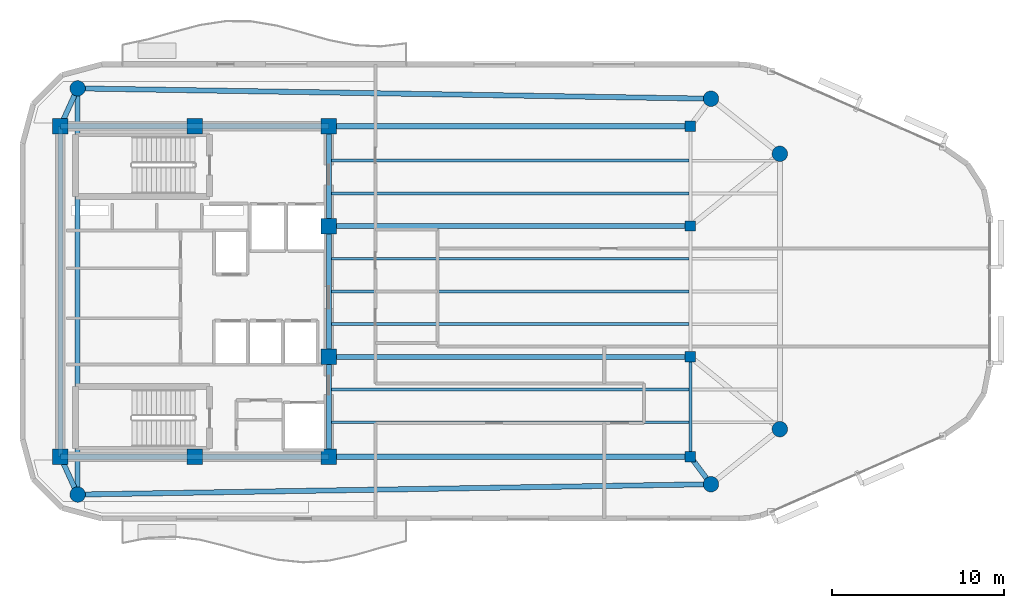
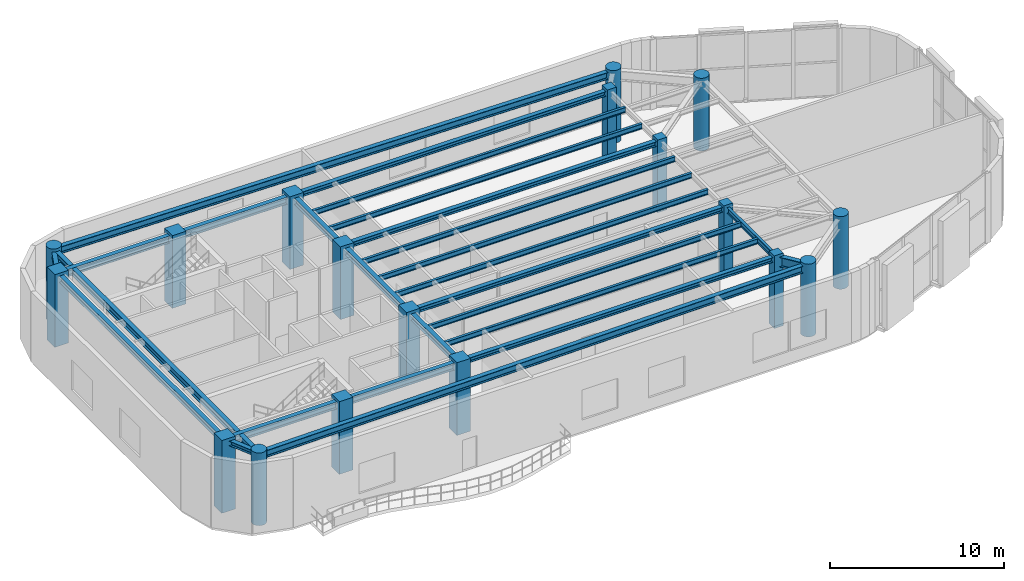
# One storey, part 1 of 12: 24 beams, 18 columns.
"""IFC4 building model written with IfcOpenShell, lengths in metres."""

from ifc_helpers import new_model, si_unit, direction, frame, origin, origin_2d, place, context, subcontext, project, spatial, rectangle, circle, i_section, extrude, material, material_profile, profile_set, type_object, element, save


model = new_model("IFC4")

# Units and contexts
model_context = context("Model", 3, precision=1e-05, world=origin(), true_north=direction((0.0, 1.0)))
body_context = subcontext(model_context, "Body", "Model", "MODEL_VIEW")
ifc_project = project(units=[si_unit("LENGTHUNIT", "METRE"), si_unit("AREAUNIT", "SQUARE_METRE"), si_unit("VOLUMEUNIT", "CUBIC_METRE"), si_unit("PLANEANGLEUNIT", "RADIAN"), si_unit("MASSUNIT", "GRAM", prefix="KILO")], contexts=[model_context])

# Site, building, storey
site_placement = place(None, origin())
site = spatial("IfcSite", under=ifc_project, at=site_placement, CompositionType="ELEMENT")
building_placement = place(site_placement, origin())
building = spatial("IfcBuilding", under=site, at=building_placement, Name="An Khanh Terracotta Commons", CompositionType="ELEMENT")
storey_placement = place(building_placement, frame((0.0, 0.0, 253.699951171875)))
storey = spatial("IfcBuildingStorey", under=building, at=storey_placement, Name="L66", CompositionType="ELEMENT", Elevation=253.699951171875)

# Columns
ifc_material_1 = material(Name="Concrete C50/60", Category="concrete")
ifc_material_profile_1 = material_profile(ifc_material_1, circle(Radius=0.449951171875, at=origin_2d()), Name="CFST900")
ifc_profile_set_1 = profile_set([ifc_material_profile_1], Name="Concrete C50/60")
column_type_1 = type_object("IfcColumnType", Name="COL-CFST900", PredefinedType="COLUMN", material=ifc_profile_set_1)
for number, where, z_axis, x_axis, name in (
    (1, (22.60009765625, 12.199951171875, 0.0), (0.0, 0.0, 1.0), (1.0, 0.0, 0.0), "L66 Perimeter CFST Mega-Column MC-01"),
    (2, (59.39990234375, 12.800048828125, 0.0), (0.0, 0.0, 1.0), (1.0, 0.0, 0.0), "L66 Perimeter CFST Mega-Column MC-02"),
    (3, (63.39990234375, 16.0, 0.0), (0.0, 0.0, 1.0), (1.0, 0.0, 0.0), "L66 Perimeter CFST Mega-Column MC-03"),
    (4, (63.39990234375, 32.0, 0.0), (0.0, 0.0, 1.0), (1.0, 0.0, 0.0), "L66 Perimeter CFST Mega-Column MC-04"),
    (5, (59.39990234375, 35.199951171875, 0.0), (0.0, 0.0, 1.0), (1.0, 0.0, 0.0), "L66 Perimeter CFST Mega-Column MC-05"),
    (6, (22.60009765625, 35.800048828125, 0.0), (0.0, 0.0, 1.0), (1.0, 0.0, 0.0), "L66 Perimeter CFST Mega-Column MC-06"),
):
    element("IfcColumn", number, at=place(storey_placement, frame(where, z_axis=z_axis, x_axis=x_axis)), inside=storey, type_object=column_type_1, Name=name, PredefinedType="COLUMN", context=body_context, shape_type="SweptSolid", body=[
        extrude(circle(Radius=0.449951171875, at=origin_2d()), origin(), (0.0, 0.0, 1.0), 5.10009765625),
    ])
ifc_material_profile_2 = material_profile(ifc_material_1, rectangle(XDim=0.60009765625, YDim=0.60009765625, at=origin_2d()), Name="RC600x600")
ifc_profile_set_2 = profile_set([ifc_material_profile_2], Name="Concrete C50/60")
column_type_2 = type_object("IfcColumnType", Name="COL-RC600x600", PredefinedType="COLUMN", material=ifc_profile_set_2)
for number, where, z_axis, x_axis, name in (
    (7, (58.199951171875, 14.39990234375, 0.0), (0.0, 0.0, 1.0), (1.0, 0.0, 0.0), "L66 Interior Frame Column TC-01"),
    (8, (58.199951171875, 20.199951171875, 0.0), (0.0, 0.0, 1.0), (1.0, 0.0, 0.0), "L66 Interior Frame Column TC-02"),
    (9, (58.199951171875, 27.800048828125, 0.0), (0.0, 0.0, 1.0), (1.0, 0.0, 0.0), "L66 Interior Frame Column TC-03"),
    (10, (58.199951171875, 33.60009765625, 0.0), (0.0, 0.0, 1.0), (1.0, 0.0, 0.0), "L66 Interior Frame Column TC-04"),
):
    element("IfcColumn", number, at=place(storey_placement, frame(where, z_axis=z_axis, x_axis=x_axis)), inside=storey, type_object=column_type_2, Name=name, PredefinedType="COLUMN", context=body_context, shape_type="SweptSolid", body=[
        extrude(rectangle(XDim=0.60009765625, YDim=0.60009765625, at=origin_2d()), origin(), (0.0, 0.0, 1.0), 5.10009765625),
    ])
ifc_material_profile_3 = material_profile(ifc_material_1, rectangle(XDim=0.89990234375, YDim=0.89990234375, at=origin_2d()), Name="RC900x900")
ifc_profile_set_3 = profile_set([ifc_material_profile_3], Name="Concrete C50/60")
column_type_3 = type_object("IfcColumnType", Name="COL-RC900x900", PredefinedType="COLUMN", material=ifc_profile_set_3)
for number, where, z_axis, x_axis, name in (
    (11, (21.60009765625, 14.39990234375, 0.0), (0.0, 0.0, 1.0), (1.0, 0.0, 0.0), "L66 Core Boundary Column CC-01"),
    (12, (29.39990234375, 14.39990234375, 0.0), (0.0, 0.0, 1.0), (1.0, 0.0, 0.0), "L66 Core Boundary Column CC-02"),
    (13, (37.199951171875, 14.39990234375, 0.0), (0.0, 0.0, 1.0), (1.0, 0.0, 0.0), "L66 Core Boundary Column CC-03"),
    (14, (37.199951171875, 20.199951171875, 0.0), (0.0, 0.0, 1.0), (1.0, 0.0, 0.0), "L66 Core Boundary Column CC-04"),
    (15, (37.199951171875, 27.800048828125, 0.0), (0.0, 0.0, 1.0), (1.0, 0.0, 0.0), "L66 Core Boundary Column CC-05"),
    (16, (37.199951171875, 33.60009765625, 0.0), (0.0, 0.0, 1.0), (1.0, 0.0, 0.0), "L66 Core Boundary Column CC-06"),
    (17, (29.39990234375, 33.60009765625, 0.0), (0.0, 0.0, 1.0), (1.0, 0.0, 0.0), "L66 Core Boundary Column CC-07"),
    (18, (21.60009765625, 33.60009765625, 0.0), (0.0, 0.0, 1.0), (1.0, 0.0, 0.0), "L66 Core Boundary Column CC-08"),
):
    element("IfcColumn", number, at=place(storey_placement, frame(where, z_axis=z_axis, x_axis=x_axis)), inside=storey, type_object=column_type_3, Name=name, PredefinedType="COLUMN", context=body_context, shape_type="SweptSolid", body=[
        extrude(rectangle(XDim=0.89990234375, YDim=0.89990234375, at=origin_2d()), origin(), (0.0, 0.0, 1.0), 5.10009765625),
    ])

# Beams
ifc_material_2 = material(Name="Steel S355J2", Category="steel")
ifc_material_profile_4 = material_profile(ifc_material_2, i_section(OverallWidth=0.300048828125, OverallDepth=0.340087890625, WebThickness=0.011962890625, FlangeThickness=0.021484375, FilletRadius=0.027099609375, at=origin_2d()), Name="HEB340")
ifc_profile_set_4 = profile_set([ifc_material_profile_4], Name="Steel S355J2")
beam_type_1 = type_object("IfcBeamType", Name="BM-HEB340", PredefinedType="BEAM", material=ifc_profile_set_4)
for number, where, z_axis, x_axis, name in (
    (19, (37.199951171875, 14.39990234375, 4.72998046875), (1.0, 0.0, 0.0), (0.0, 1.0, 0.0), "L66 East Primary Floor Girder 1"),
    (20, (37.199951171875, 20.199951171875, 4.72998046875), (1.0, 0.0, 0.0), (0.0, 1.0, 0.0), "L66 East Primary Floor Girder 2"),
    (21, (37.199951171875, 27.800048828125, 4.72998046875), (1.0, 0.0, 0.0), (0.0, 1.0, 0.0), "L66 East Primary Floor Girder 3"),
    (22, (37.199951171875, 33.60009765625, 4.72998046875), (1.0, 0.0, 0.0), (0.0, 1.0, 0.0), "L66 East Primary Floor Girder 4"),
):
    element("IfcBeam", number, at=place(storey_placement, frame(where, z_axis=z_axis, x_axis=x_axis)), inside=storey, type_object=beam_type_1, Name=name, PredefinedType="BEAM", context=body_context, shape_type="SweptSolid", body=[
        extrude(i_section(OverallWidth=0.300048828125, OverallDepth=0.340087890625, WebThickness=0.011962890625, FlangeThickness=0.021484375, FilletRadius=0.027099609375, at=origin_2d()), origin(), (0.0, 0.0, 1.0), 21.0),
    ])
for number, where, z_axis, x_axis, name in (
    (23, (22.60009765625, 12.199951171875, 4.72998046875), (-0.413810555983, 0.910363017569, 0.0), (-0.910363017569, -0.413810555983, 0.0), "L66 Mega-Column Tie Girder 1"),
    (24, (22.60009765625, 35.800048828125, 4.72998046875), (-0.413810555983, -0.910363017569, 0.0), (0.910363017569, -0.413810555983, 0.0), "L66 Mega-Column Tie Girder 6"),
):
    element("IfcBeam", number, at=place(storey_placement, frame(where, z_axis=z_axis, x_axis=x_axis)), inside=storey, type_object=beam_type_1, Name=name, PredefinedType="BEAM", context=body_context, shape_type="SweptSolid", body=[
        extrude(i_section(OverallWidth=0.300048828125, OverallDepth=0.340087890625, WebThickness=0.011962890625, FlangeThickness=0.021484375, FilletRadius=0.027099609375, at=origin_2d()), origin(), (0.0, 0.0, 1.0), 2.41650390625),
    ])
ifc_material_profile_5 = material_profile(ifc_material_2, i_section(OverallWidth=0.300048828125, OverallDepth=0.449951171875, WebThickness=0.013916015625, FlangeThickness=0.02587890625, FilletRadius=0.027099609375, at=origin_2d()), Name="HEB450")
ifc_profile_set_5 = profile_set([ifc_material_profile_5], Name="Steel S355J2")
beam_type_2 = type_object("IfcBeamType", Name="BM-HEB450", PredefinedType="BEAM", material=ifc_profile_set_5)
beam_1_placement = place(storey_placement, frame((37.199951171875, 14.39990234375, 4.675048828125), z_axis=(0.0, 1.0, 0.0), x_axis=(-1.0, 0.0, 0.0)))
element("IfcBeam", 25, at=beam_1_placement, inside=storey, type_object=beam_type_2, Name="L66 Core East Coupling Girder 1", PredefinedType="BEAM", context=body_context, shape_type="SweptSolid", body=[
    extrude(i_section(OverallWidth=0.300048828125, OverallDepth=0.449951171875, WebThickness=0.013916015625, FlangeThickness=0.02587890625, FilletRadius=0.027099609375, at=origin_2d()), origin(), (0.0, 0.0, 1.0), 5.800048828125),
])
beam_2_placement = place(storey_placement, frame((37.199951171875, 20.199951171875, 4.675048828125), z_axis=(0.0, 1.0, 0.0), x_axis=(-1.0, 0.0, 0.0)))
element("IfcBeam", 26, at=beam_2_placement, inside=storey, type_object=beam_type_2, Name="L66 Core East Coupling Girder 2", PredefinedType="BEAM", context=body_context, shape_type="SweptSolid", body=[
    extrude(i_section(OverallWidth=0.300048828125, OverallDepth=0.449951171875, WebThickness=0.013916015625, FlangeThickness=0.02587890625, FilletRadius=0.027099609375, at=origin_2d()), origin(), (0.0, 0.0, 1.0), 7.60009765625),
])
beam_3_placement = place(storey_placement, frame((37.199951171875, 27.800048828125, 4.675048828125), z_axis=(0.0, 1.0, 0.0), x_axis=(-1.0, 0.0, 0.0)))
element("IfcBeam", 27, at=beam_3_placement, inside=storey, type_object=beam_type_2, Name="L66 Core East Coupling Girder 3", PredefinedType="BEAM", context=body_context, shape_type="SweptSolid", body=[
    extrude(i_section(OverallWidth=0.300048828125, OverallDepth=0.449951171875, WebThickness=0.013916015625, FlangeThickness=0.02587890625, FilletRadius=0.027099609375, at=origin_2d()), origin(), (0.0, 0.0, 1.0), 5.800048828125),
])
beam_4_placement = place(storey_placement, frame((21.60009765625, 14.39990234375, 4.675048828125), z_axis=(0.0, 1.0, 0.0), x_axis=(-1.0, 0.0, 0.0)))
element("IfcBeam", 28, at=beam_4_placement, inside=storey, type_object=beam_type_2, Name="L66 Core West Coupling Girder", PredefinedType="BEAM", context=body_context, shape_type="SweptSolid", body=[
    extrude(i_section(OverallWidth=0.300048828125, OverallDepth=0.449951171875, WebThickness=0.013916015625, FlangeThickness=0.02587890625, FilletRadius=0.027099609375, at=origin_2d()), origin(), (0.0, 0.0, 1.0), 19.2001953125),
])
ifc_material_profile_6 = material_profile(ifc_material_2, i_section(OverallWidth=0.300048828125, OverallDepth=0.5, WebThickness=0.014404296875, FlangeThickness=0.028076171875, FilletRadius=0.027099609375, at=origin_2d()), Name="HEB500")
ifc_profile_set_6 = profile_set([ifc_material_profile_6], Name="Steel S355J2")
beam_type_3 = type_object("IfcBeamType", Name="BM-HEB500", PredefinedType="BEAM", material=ifc_profile_set_6)
for number, where, z_axis, x_axis, name in (
    (29, (21.60009765625, 14.39990234375, 4.650146484375), (1.0, 0.0, 0.0), (0.0, 1.0, 0.0), "L66 Core South Coupling Girder"),
    (30, (21.60009765625, 33.60009765625, 4.650146484375), (1.0, 0.0, 0.0), (0.0, 1.0, 0.0), "L66 Core North Coupling Girder"),
):
    element("IfcBeam", number, at=place(storey_placement, frame(where, z_axis=z_axis, x_axis=x_axis)), inside=storey, type_object=beam_type_3, Name=name, PredefinedType="BEAM", context=body_context, shape_type="SweptSolid", body=[
        extrude(i_section(OverallWidth=0.300048828125, OverallDepth=0.5, WebThickness=0.014404296875, FlangeThickness=0.028076171875, FilletRadius=0.027099609375, at=origin_2d()), origin(), (0.0, 0.0, 1.0), 15.599853515625),
    ])
for number, where, z_axis, x_axis, name in (
    (31, (22.60009765625, 12.199951171875, 4.650146484375), (0.999867065951, 0.01630492031, 0.0), (-0.01630492031, 0.999867065951, 0.0), "L66 Perimeter Ring Spandrel 1"),
    (32, (59.39990234375, 35.199951171875, 4.650146484375), (-0.999867065951, 0.01630492031, 0.0), (-0.01630492031, -0.999867065951, 0.0), "L66 Perimeter Ring Spandrel 5"),
):
    element("IfcBeam", number, at=place(storey_placement, frame(where, z_axis=z_axis, x_axis=x_axis)), inside=storey, type_object=beam_type_3, Name=name, PredefinedType="BEAM", context=body_context, shape_type="SweptSolid", body=[
        extrude(i_section(OverallWidth=0.300048828125, OverallDepth=0.5, WebThickness=0.014404296875, FlangeThickness=0.028076171875, FilletRadius=0.027099609375, at=origin_2d()), origin(), (0.0, 0.0, 1.0), 36.8046875),
    ])
beam_5_placement = place(storey_placement, frame((22.60009765625, 35.800048828125, 4.650146484375), z_axis=(0.0, -1.0, 0.0), x_axis=(1.0, 0.0, 0.0)))
element("IfcBeam", 33, at=beam_5_placement, inside=storey, type_object=beam_type_3, Name="L66 Perimeter Ring Spandrel 6", PredefinedType="BEAM", context=body_context, shape_type="SweptSolid", body=[
    extrude(i_section(OverallWidth=0.300048828125, OverallDepth=0.5, WebThickness=0.014404296875, FlangeThickness=0.028076171875, FilletRadius=0.027099609375, at=origin_2d()), origin(), (0.0, 0.0, 1.0), 23.60009765625),
])
ifc_material_profile_7 = material_profile(ifc_material_2, i_section(OverallWidth=0.300048828125, OverallDepth=0.699951171875, WebThickness=0.01708984375, FlangeThickness=0.031982421875, FilletRadius=0.027099609375, at=origin_2d()), Name="HEB700")
ifc_profile_set_7 = profile_set([ifc_material_profile_7], Name="Steel S355J2")
beam_type_4 = type_object("IfcBeamType", Name="BM-HEB700", PredefinedType="BEAM", material=ifc_profile_set_7)
beam_6_placement = place(storey_placement, frame((59.39990234375, 12.800048828125, 4.550048828125), z_axis=(-0.600019532502, 0.799985350251, 0.0), x_axis=(-0.799985350251, -0.600019532502, 0.0)))
element("IfcBeam", 34, at=beam_6_placement, inside=storey, type_object=beam_type_4, Name="L66 Mega-Column Tie Girder 2", PredefinedType="BEAM", context=body_context, shape_type="SweptSolid", body=[
    extrude(i_section(OverallWidth=0.300048828125, OverallDepth=0.699951171875, WebThickness=0.01708984375, FlangeThickness=0.031982421875, FilletRadius=0.027099609375, at=origin_2d()), origin(), (0.0, 0.0, 1.0), 1.999755859375),
])
ifc_material_profile_8 = material_profile(ifc_material_2, i_section(OverallWidth=0.169921875, OverallDepth=0.360107421875, WebThickness=0.008056640625, FlangeThickness=0.0126953125, FilletRadius=0.01806640625, at=origin_2d()), Name="IPE360")
ifc_profile_set_8 = profile_set([ifc_material_profile_8], Name="Steel S355J2")
beam_type_5 = type_object("IfcBeamType", Name="BM-IPE360", PredefinedType="JOIST", material=ifc_profile_set_8)
for number, where, z_axis, x_axis, name in (
    (35, (37.199951171875, 16.39990234375, 4.719970703125), (1.0, 0.0, 0.0), (0.0, 1.0, 0.0), "L66 Inboard Composite Joist 1"),
    (36, (37.199951171875, 18.300048828125, 4.719970703125), (1.0, 0.0, 0.0), (0.0, 1.0, 0.0), "L66 Inboard Composite Joist 2"),
    (37, (37.199951171875, 22.10009765625, 4.719970703125), (1.0, 0.0, 0.0), (0.0, 1.0, 0.0), "L66 Inboard Composite Joist 3"),
    (38, (37.199951171875, 24.0, 4.719970703125), (1.0, 0.0, 0.0), (0.0, 1.0, 0.0), "L66 Inboard Composite Joist 4"),
    (39, (37.199951171875, 25.89990234375, 4.719970703125), (1.0, 0.0, 0.0), (0.0, 1.0, 0.0), "L66 Inboard Composite Joist 5"),
    (40, (37.199951171875, 29.699951171875, 4.719970703125), (1.0, 0.0, 0.0), (0.0, 1.0, 0.0), "L66 Inboard Composite Joist 6"),
    (41, (37.199951171875, 31.60009765625, 4.719970703125), (1.0, 0.0, 0.0), (0.0, 1.0, 0.0), "L66 Inboard Composite Joist 7"),
):
    element("IfcBeam", number, at=place(storey_placement, frame(where, z_axis=z_axis, x_axis=x_axis)), inside=storey, type_object=beam_type_5, Name=name, PredefinedType="JOIST", context=body_context, shape_type="SweptSolid", body=[
        extrude(i_section(OverallWidth=0.169921875, OverallDepth=0.360107421875, WebThickness=0.008056640625, FlangeThickness=0.0126953125, FilletRadius=0.01806640625, at=origin_2d()), origin(), (0.0, 0.0, 1.0), 20.91015625),
    ])
ifc_material_profile_9 = material_profile(ifc_material_2, i_section(OverallWidth=0.179931640625, OverallDepth=0.39990234375, WebThickness=0.008544921875, FlangeThickness=0.013427734375, FilletRadius=0.02099609375, at=origin_2d()), Name="IPE400")
ifc_profile_set_9 = profile_set([ifc_material_profile_9], Name="Steel S355J2")
beam_type_6 = type_object("IfcBeamType", Name="BM-IPE400", PredefinedType="JOIST", material=ifc_profile_set_9)
beam_7_placement = place(storey_placement, frame((58.199951171875, 14.550048828125, 4.699951171875), z_axis=(0.0, 1.0, 0.0), x_axis=(-1.0, 0.0, 0.0)))
element("IfcBeam", 42, at=beam_7_placement, inside=storey, type_object=beam_type_6, Name="L66 East Spine Girder 1", PredefinedType="JOIST", context=body_context, shape_type="SweptSolid", body=[
    extrude(i_section(OverallWidth=0.179931640625, OverallDepth=0.39990234375, WebThickness=0.008544921875, FlangeThickness=0.013427734375, FilletRadius=0.02099609375, at=origin_2d()), origin(), (0.0, 0.0, 1.0), 5.5),
])

save(model, "model.ifc")
